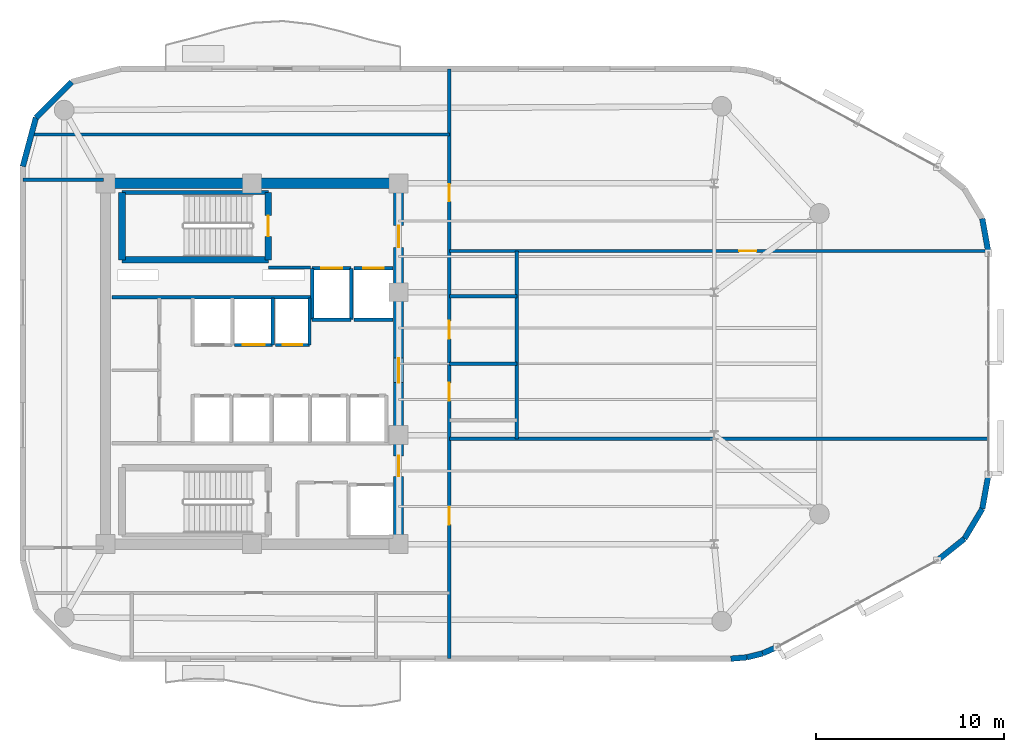
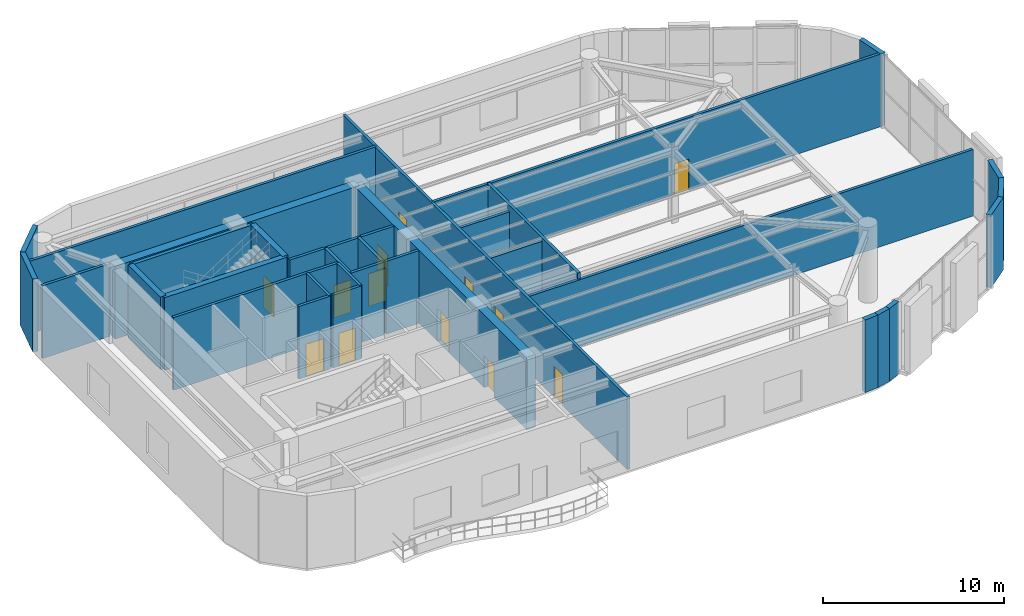
# One storey, part 8 of 11: 35 walls, 13 doors, 13 openings.
"""IFC4 building model written with IfcOpenShell, lengths in metres."""

from ifc_helpers import new_model, si_unit, direction, frame, frame_2d, origin, place, context, subcontext, project, spatial, rectangle, extrude, material, layer, layer_set, type_object, element, fill, save


model = new_model("IFC4")

# Units and contexts
model_context = context("Model", 3, precision=1e-05, world=origin(), true_north=direction((0.0, 1.0)))
body_context = subcontext(model_context, "Body", "Model", "MODEL_VIEW")
ifc_project = project(units=[si_unit("LENGTHUNIT", "METRE"), si_unit("AREAUNIT", "SQUARE_METRE"), si_unit("VOLUMEUNIT", "CUBIC_METRE"), si_unit("PLANEANGLEUNIT", "RADIAN"), si_unit("MASSUNIT", "GRAM", prefix="KILO")], contexts=[model_context])

# Site, building, storey
site_placement = place(None, origin())
site = spatial("IfcSite", under=ifc_project, at=site_placement, CompositionType="ELEMENT")
building_placement = place(site_placement, origin())
building = spatial("IfcBuilding", under=site, at=building_placement, Name="An Khanh Terracotta Commons", CompositionType="ELEMENT")
storey_placement = place(building_placement, frame((0.0, 0.0, 196.199951171875)))
storey = spatial("IfcBuildingStorey", under=building, at=storey_placement, Name="L51", CompositionType="ELEMENT", Elevation=196.199951171875)

# Wall
ifc_material_1 = material(Name="Concrete C50/60", Category="concrete")
ifc_layer_1 = layer(ifc_material_1, 0.550048828125, Name="Concrete C50/60")
ifc_layer_set_1 = layer_set([ifc_layer_1], Name="Concrete C50/60")
wall_type_1 = type_object("IfcWallType", Name="WALL-CORE-550", PredefinedType="SHEAR", material=ifc_layer_set_1)
wall_1_placement = place(storey_placement, frame((21.60009765625, 33.60009765625, 0.0), z_axis=(0.0, 0.0, 1.0), x_axis=(1.0, 0.0, 0.0)))
element("IfcWall", 1, at=wall_1_placement, inside=storey, type_object=wall_type_1, Name="L51 Core Wall CWALL-L51-N", PredefinedType="SHEAR", context=body_context, shape_type="SweptSolid", body=[
    extrude(rectangle(XDim=15.599853515625, YDim=0.550048828125, at=frame_2d((7.7998046875, 0.0))), origin(), (0.0, 0.0, 1.0), 4.900146484375),
])

# Wall, openings, doors
wall_2_placement = place(storey_placement, frame((37.199951171875, 14.39990234375, 0.0), z_axis=(0.0, 0.0, 1.0), x_axis=(0.0, 1.0, 0.0)))
wall_2 = element("IfcWall", 2, at=wall_2_placement, inside=storey, type_object=wall_type_1, Name="L51 Core Wall CWALL-L51-E", PredefinedType="SHEAR", context=body_context, shape_type="SweptSolid", body=[
    extrude(rectangle(XDim=19.2001953125, YDim=0.550048828125, at=frame_2d((9.60009765625, 0.0))), origin(), (0.0, 0.0, 1.0), 4.900146484375),
])
opening_1_placement = place(wall_2_placement, frame((15.800048828125, 0.0, 0.0)))
opening_1 = element("IfcOpeningElement", 3, at=opening_1_placement, cuts=wall_2, Name="Opening D-FFL", PredefinedType="OPENING", context=body_context, shape_type="SweptSolid", body=[
    extrude(rectangle(XDim=1.14990234375, YDim=2.14990234375, at=frame_2d((0.574951171875, 1.074951171875))), frame((0.0, 0.284912109375, 0.0), z_axis=(0.0, -1.0, 0.0), x_axis=(1.0, 0.0, 0.0)), (0.0, 0.0, 1.0), 0.570068359375),
])
opening_2_placement = place(wall_2_placement, frame((3.60009765625, 0.0, 0.0)))
opening_2 = element("IfcOpeningElement", 4, at=opening_2_placement, cuts=wall_2, Name="Opening D-ST", PredefinedType="OPENING", context=body_context, shape_type="SweptSolid", body=[
    extrude(rectangle(XDim=1.10009765625, YDim=2.14990234375, at=frame_2d((0.550048828125, 1.074951171875))), frame((0.0, 0.284912109375, 0.0), z_axis=(0.0, -1.0, 0.0), x_axis=(1.0, 0.0, 0.0)), (0.0, 0.0, 1.0), 0.570068359375),
])
opening_3_placement = place(wall_2_placement, frame((8.60009765625, 0.0, 0.0)))
opening_3 = element("IfcOpeningElement", 5, at=opening_3_placement, cuts=wall_2, Name="Opening D-COR", PredefinedType="OPENING", context=body_context, shape_type="SweptSolid", body=[
    extrude(rectangle(XDim=1.300048828125, YDim=2.199951171875, at=frame_2d((0.64990234375, 1.10009765625))), frame((0.0, 0.284912109375, 0.0), z_axis=(0.0, -1.0, 0.0), x_axis=(1.0, 0.0, 0.0)), (0.0, 0.0, 1.0), 0.570068359375),
])
ifc_material_2 = material(Name="Fire-Rated Glazed Steel Double Door", Category="steel")
door_type_1 = type_object("IfcDoorType", Name="DOOR-CORR-1300", OperationType="NOTDEFINED", PredefinedType="DOOR", material=ifc_material_2)
door_1_placement = place(opening_3_placement, origin())
door_1 = element("IfcDoor", 6, at=door_1_placement, inside=storey, type_object=door_type_1, Name="L51 Passenger Lift Lobby Double Door", OperationType="DOUBLE_DOOR_SINGLE_SWING", OverallHeight=2.199951171875, OverallWidth=1.300048828125, PredefinedType="DOOR", context=body_context, shape_type="SweptSolid", body=[
    extrude(rectangle(XDim=1.300048828125, YDim=2.199951171875, at=frame_2d((0.64990234375, 1.10009765625))), frame((0.0, 0.02490234375, 0.0), z_axis=(0.0, -1.0, 0.0), x_axis=(1.0, 0.0, 0.0)), (0.0, 0.0, 1.0), 0.050048828125),
])
fill(opening_3, door_1)
ifc_material_3 = material(Name="Fire-Rated Steel Leaf and Vision Panel", Category="steel")
door_type_2 = type_object("IfcDoorType", Name="DOOR-FFL-1150", OperationType="NOTDEFINED", PredefinedType="DOOR", material=ifc_material_3)
door_2_placement = place(opening_1_placement, origin())
door_2 = element("IfcDoor", 7, at=door_2_placement, inside=storey, type_object=door_type_2, Name="L51 Firefighting Lift Lobby Fire Door", OperationType="SINGLE_SWING_RIGHT", OverallHeight=2.14990234375, OverallWidth=1.14990234375, PredefinedType="DOOR", context=body_context, shape_type="SweptSolid", body=[
    extrude(rectangle(XDim=1.14990234375, YDim=2.14990234375, at=frame_2d((0.574951171875, 1.074951171875))), frame((0.0, 0.02490234375, 0.0), z_axis=(0.0, -1.0, 0.0), x_axis=(1.0, 0.0, 0.0)), (0.0, 0.0, 1.0), 0.050048828125),
])
fill(opening_1, door_2)
ifc_material_4 = material(Name="Fire-Rated Steel Leaf and Frame", Category="steel")
door_type_3 = type_object("IfcDoorType", Name="DOOR-STAIR-1100", OperationType="NOTDEFINED", PredefinedType="DOOR", material=ifc_material_4)
door_3_placement = place(opening_2_placement, origin())
door_3 = element("IfcDoor", 8, at=door_3_placement, inside=storey, type_object=door_type_3, Name="L51 South Stair Lobby Fire Door", OperationType="SINGLE_SWING_LEFT", OverallHeight=2.14990234375, OverallWidth=1.10009765625, PredefinedType="DOOR", context=body_context, shape_type="SweptSolid", body=[
    extrude(rectangle(XDim=1.10009765625, YDim=2.14990234375, at=frame_2d((0.550048828125, 1.074951171875))), frame((0.0, 0.02490234375, 0.0), z_axis=(0.0, -1.0, 0.0), x_axis=(1.0, 0.0, 0.0)), (0.0, 0.0, 1.0), 0.050048828125),
])
fill(opening_2, door_3)

# Walls
ifc_material_5 = material(Name="Fire-Rated Gypsum Board on Steel Stud", Category="steel")
ifc_layer_2 = layer(ifc_material_5, 0.179931640625, Name="Fire-Rated Gypsum Board on Steel Stud")
ifc_layer_set_2 = layer_set([ifc_layer_2], Name="Fire-Rated Gypsum Board on Steel Stud")
wall_type_2 = type_object("IfcWallType", Name="WALL-CORR-180", PredefinedType="PARTITIONING", material=ifc_layer_set_2)
wall_3_placement = place(storey_placement, frame((30.27001953125, 29.1201171875, 0.0), z_axis=(0.0, 0.0, 1.0), x_axis=(1.0, 0.0, 0.0)))
element("IfcWall", 9, at=wall_3_placement, inside=storey, type_object=wall_type_2, Name="L51 Core Wall FFLW-L51-S", PredefinedType="PARTITIONING", context=body_context, shape_type="SweptSolid", body=[
    extrude(rectangle(XDim=2.239990234375, YDim=0.179931640625, at=frame_2d((1.1201171875, 0.0))), origin(), (0.0, 0.0, 1.0), 4.900146484375),
])
wall_4_placement = place(storey_placement, frame((21.949951171875, 27.5400390625, 0.0), z_axis=(0.0, 0.0, 1.0), x_axis=(1.0, 0.0, 0.0)))
element("IfcWall", 10, at=wall_4_placement, inside=storey, type_object=wall_type_2, Name="L51 Core Wall RSRW-L51-S", PredefinedType="PARTITIONING", context=body_context, shape_type="SweptSolid", body=[
    extrude(rectangle(XDim=10.56005859375, YDim=0.179931640625, at=frame_2d((5.280029296875, 0.0))), origin(), (0.0, 0.0, 1.0), 4.900146484375),
])

# Wall, opening, door
wall_5_placement = place(storey_placement, frame((32.60009765625, 29.080078125, 0.0), z_axis=(0.0, 0.0, 1.0), x_axis=(1.0, 0.0, 0.0)))
wall_5 = element("IfcWall", 11, at=wall_5_placement, inside=storey, type_object=wall_type_2, Name="L51 Core Wall LSH-L51-FFL-01-N", PredefinedType="PARTITIONING", context=body_context, shape_type="SweptSolid", body=[
    extrude(rectangle(XDim=2.079833984375, YDim=0.179931640625, at=frame_2d((1.0400390625, 0.0))), origin(), (0.0, 0.0, 1.0), 4.900146484375),
])
opening_4_placement = place(wall_5_placement, frame((0.489990234375, 0.0, 0.0)))
opening_4 = element("IfcOpeningElement", 12, at=opening_4_placement, cuts=wall_5, Name="Opening LD-FFL-01-L51", PredefinedType="OPENING", context=body_context, shape_type="SweptSolid", body=[
    extrude(rectangle(XDim=1.10009765625, YDim=2.199951171875, at=frame_2d((0.550048828125, 1.10009765625))), frame((0.0, 0.099853515625, 0.0), z_axis=(0.0, -1.0, 0.0), x_axis=(1.0, 0.0, 0.0)), (0.0, 0.0, 1.0), 0.199951171875),
])
ifc_material_6 = material(Name="Brushed Stainless Steel Fire Landing Door", Category="steel")
door_type_4 = type_object("IfcDoorType", Name="DOOR-LD-FFL-1100", OperationType="NOTDEFINED", PredefinedType="DOOR", material=ifc_material_6)
door_4_placement = place(opening_4_placement, origin())
door_4 = element("IfcDoor", 13, at=door_4_placement, inside=storey, type_object=door_type_4, Name="L51 Lift FFL-01 Sliding Landing Door", OperationType="DOUBLE_DOOR_SLIDING", OverallHeight=2.199951171875, OverallWidth=1.10009765625, PredefinedType="DOOR", context=body_context, shape_type="SweptSolid", body=[
    extrude(rectangle(XDim=1.10009765625, YDim=2.199951171875, at=frame_2d((0.550048828125, 1.10009765625))), frame((0.0, 0.02490234375, 0.0), z_axis=(0.0, -1.0, 0.0), x_axis=(1.0, 0.0, 0.0)), (0.0, 0.0, 1.0), 0.050048828125),
])
fill(opening_4, door_4)

# Walls
wall_6_placement = place(storey_placement, frame((34.679931640625, 26.35009765625, 0.0), z_axis=(0.0, 0.0, 1.0), x_axis=(-1.0, 0.0, 0.0)))
element("IfcWall", 14, at=wall_6_placement, inside=storey, type_object=wall_type_2, Name="L51 Core Wall LSH-L51-FFL-01-S", PredefinedType="PARTITIONING", context=body_context, shape_type="SweptSolid", body=[
    extrude(rectangle(XDim=2.079833984375, YDim=0.179931640625, at=frame_2d((1.0400390625, 0.0))), origin(), (0.0, 0.0, 1.0), 4.900146484375),
])
for number, where, z_axis, x_axis, name in (
    (15, (34.679931640625, 26.35009765625, 0.0), (0.0, 0.0, 1.0), (0.0, 1.0, 0.0), "L51 Core Wall LSH-L51-FFL-01-E"),
    (16, (32.60009765625, 29.080078125, 0.0), (0.0, 0.0, 1.0), (0.0, -1.0, 0.0), "L51 Core Wall LSH-L51-FFL-01-W"),
):
    element("IfcWall", number, at=place(storey_placement, frame(where, z_axis=z_axis, x_axis=x_axis)), inside=storey, type_object=wall_type_2, Name=name, PredefinedType="PARTITIONING", context=body_context, shape_type="SweptSolid", body=[
        extrude(rectangle(XDim=2.72998046875, YDim=0.179931640625, at=frame_2d((1.364990234375, 0.0))), origin(), (0.0, 0.0, 1.0), 4.900146484375),
    ])

# Wall, opening, door
wall_7_placement = place(storey_placement, frame((34.820068359375, 29.080078125, 0.0), z_axis=(0.0, 0.0, 1.0), x_axis=(1.0, 0.0, 0.0)))
wall_7 = element("IfcWall", 17, at=wall_7_placement, inside=storey, type_object=wall_type_2, Name="L51 Core Wall LSH-L51-FFL-02-N", PredefinedType="PARTITIONING", context=body_context, shape_type="SweptSolid", body=[
    extrude(rectangle(XDim=2.079833984375, YDim=0.179931640625, at=frame_2d((1.0400390625, 0.0))), origin(), (0.0, 0.0, 1.0), 4.900146484375),
])
opening_5_placement = place(wall_7_placement, frame((0.489990234375, 0.0, 0.0)))
opening_5 = element("IfcOpeningElement", 18, at=opening_5_placement, cuts=wall_7, Name="Opening LD-FFL-02-L51", PredefinedType="OPENING", context=body_context, shape_type="SweptSolid", body=[
    extrude(rectangle(XDim=1.10009765625, YDim=2.199951171875, at=frame_2d((0.550048828125, 1.10009765625))), frame((0.0, 0.099853515625, 0.0), z_axis=(0.0, -1.0, 0.0), x_axis=(1.0, 0.0, 0.0)), (0.0, 0.0, 1.0), 0.199951171875),
])
door_5_placement = place(opening_5_placement, origin())
door_5 = element("IfcDoor", 19, at=door_5_placement, inside=storey, type_object=door_type_4, Name="L51 Lift FFL-02 Sliding Landing Door", OperationType="DOUBLE_DOOR_SLIDING", OverallHeight=2.199951171875, OverallWidth=1.10009765625, PredefinedType="DOOR", context=body_context, shape_type="SweptSolid", body=[
    extrude(rectangle(XDim=1.10009765625, YDim=2.199951171875, at=frame_2d((0.550048828125, 1.10009765625))), frame((0.0, 0.02490234375, 0.0), z_axis=(0.0, -1.0, 0.0), x_axis=(1.0, 0.0, 0.0)), (0.0, 0.0, 1.0), 0.050048828125),
])
fill(opening_5, door_5)

# Wall
wall_8_placement = place(storey_placement, frame((36.89990234375, 26.35009765625, 0.0), z_axis=(0.0, 0.0, 1.0), x_axis=(-1.0, 0.0, 0.0)))
element("IfcWall", 20, at=wall_8_placement, inside=storey, type_object=wall_type_2, Name="L51 Core Wall LSH-L51-FFL-02-S", PredefinedType="PARTITIONING", context=body_context, shape_type="SweptSolid", body=[
    extrude(rectangle(XDim=2.079833984375, YDim=0.179931640625, at=frame_2d((1.0400390625, 0.0))), origin(), (0.0, 0.0, 1.0), 4.900146484375),
])

# Wall, opening, door
wall_9_placement = place(storey_placement, frame((30.5, 25.0, 0.0), z_axis=(0.0, 0.0, 1.0), x_axis=(-1.0, 0.0, 0.0)))
wall_9 = element("IfcWall", 21, at=wall_9_placement, inside=storey, type_object=wall_type_2, Name="L51 Core Wall LSH-L51-PL-M2-S", PredefinedType="PARTITIONING", context=body_context, shape_type="SweptSolid", body=[
    extrude(rectangle(XDim=2.02001953125, YDim=0.179931640625, at=frame_2d((1.010009765625, 0.0))), origin(), (0.0, 0.0, 1.0), 4.900146484375),
])
opening_6_placement = place(wall_9_placement, frame((0.43505859375, 0.0, 0.0)))
opening_6 = element("IfcOpeningElement", 22, at=opening_6_placement, cuts=wall_9, Name="Opening LD-PL-M2-L51", PredefinedType="OPENING", context=body_context, shape_type="SweptSolid", body=[
    extrude(rectangle(XDim=1.14990234375, YDim=2.199951171875, at=frame_2d((0.574951171875, 1.10009765625))), frame((0.0, 0.099853515625, 0.0), z_axis=(0.0, -1.0, 0.0), x_axis=(1.0, 0.0, 0.0)), (0.0, 0.0, 1.0), 0.199951171875),
])
ifc_material_7 = material(Name="Brushed Stainless Steel Passenger Landing Door", Category="steel")
door_type_5 = type_object("IfcDoorType", Name="DOOR-LD-PAX-1150", OperationType="NOTDEFINED", PredefinedType="DOOR", material=ifc_material_7)
door_6_placement = place(opening_6_placement, origin())
door_6 = element("IfcDoor", 23, at=door_6_placement, inside=storey, type_object=door_type_5, Name="L51 Lift PL-M2 Sliding Landing Door", OperationType="DOUBLE_DOOR_SLIDING", OverallHeight=2.199951171875, OverallWidth=1.14990234375, PredefinedType="DOOR", context=body_context, shape_type="SweptSolid", body=[
    extrude(rectangle(XDim=1.14990234375, YDim=2.199951171875, at=frame_2d((0.574951171875, 1.10009765625))), frame((0.0, 0.02490234375, 0.0), z_axis=(0.0, -1.0, 0.0), x_axis=(1.0, 0.0, 0.0)), (0.0, 0.0, 1.0), 0.050048828125),
])
fill(opening_6, door_6)

# Wall
wall_10_placement = place(storey_placement, frame((30.5, 25.0, 0.0), z_axis=(0.0, 0.0, 1.0), x_axis=(0.0, 1.0, 0.0)))
element("IfcWall", 24, at=wall_10_placement, inside=storey, type_object=wall_type_2, Name="L51 Core Wall LSH-L51-PL-M2-E", PredefinedType="PARTITIONING", context=body_context, shape_type="SweptSolid", body=[
    extrude(rectangle(XDim=2.5, YDim=0.179931640625, at=frame_2d((1.25, 0.0))), origin(), (0.0, 0.0, 1.0), 4.900146484375),
])

# Wall, opening, door
wall_11_placement = place(storey_placement, frame((32.4599609375, 25.0, 0.0), z_axis=(0.0, 0.0, 1.0), x_axis=(-1.0, 0.0, 0.0)))
wall_11 = element("IfcWall", 25, at=wall_11_placement, inside=storey, type_object=wall_type_2, Name="L51 Core Wall LSH-L51-PL-H1-S", PredefinedType="PARTITIONING", context=body_context, shape_type="SweptSolid", body=[
    extrude(rectangle(XDim=1.820068359375, YDim=0.179931640625, at=frame_2d((0.91015625, 0.0))), origin(), (0.0, 0.0, 1.0), 4.900146484375),
])
opening_7_placement = place(wall_11_placement, frame((0.385009765625, 0.0, 0.0)))
opening_7 = element("IfcOpeningElement", 26, at=opening_7_placement, cuts=wall_11, Name="Opening LD-PL-H1-L51", PredefinedType="OPENING", context=body_context, shape_type="SweptSolid", body=[
    extrude(rectangle(XDim=1.050048828125, YDim=2.199951171875, at=frame_2d((0.52490234375, 1.10009765625))), frame((0.0, 0.099853515625, 0.0), z_axis=(0.0, -1.0, 0.0), x_axis=(1.0, 0.0, 0.0)), (0.0, 0.0, 1.0), 0.199951171875),
])
ifc_material_8 = material(Name="Brushed Stainless Steel High-Rise Landing Door", Category="steel")
door_type_6 = type_object("IfcDoorType", Name="DOOR-LD-PAXH-1050", OperationType="NOTDEFINED", PredefinedType="DOOR", material=ifc_material_8)
door_7_placement = place(opening_7_placement, origin())
door_7 = element("IfcDoor", 27, at=door_7_placement, inside=storey, type_object=door_type_6, Name="L51 Lift PL-H1 Sliding Landing Door", OperationType="DOUBLE_DOOR_SLIDING", OverallHeight=2.199951171875, OverallWidth=1.050048828125, PredefinedType="DOOR", context=body_context, shape_type="SweptSolid", body=[
    extrude(rectangle(XDim=1.050048828125, YDim=2.199951171875, at=frame_2d((0.52490234375, 1.10009765625))), frame((0.0, 0.02490234375, 0.0), z_axis=(0.0, -1.0, 0.0), x_axis=(1.0, 0.0, 0.0)), (0.0, 0.0, 1.0), 0.050048828125),
])
fill(opening_7, door_7)

# Walls
wall_12_placement = place(storey_placement, frame((32.4599609375, 25.0, 0.0), z_axis=(0.0, 0.0, 1.0), x_axis=(0.0, 1.0, 0.0)))
element("IfcWall", 28, at=wall_12_placement, inside=storey, type_object=wall_type_2, Name="L51 Core Wall LSH-L51-PL-H1-E", PredefinedType="PARTITIONING", context=body_context, shape_type="SweptSolid", body=[
    extrude(rectangle(XDim=2.5, YDim=0.179931640625, at=frame_2d((1.25, 0.0))), origin(), (0.0, 0.0, 1.0), 4.900146484375),
])
wall_13_placement = place(storey_placement, frame((39.89990234375, 20.0, 0.0), z_axis=(0.0, 0.0, 1.0), x_axis=(1.0, 0.0, 0.0)))
element("IfcWall", 29, at=wall_13_placement, inside=storey, type_object=wall_type_2, Name="L51 Interior Partition IW-L51-E003", PredefinedType="PARTITIONING", context=body_context, shape_type="SweptSolid", body=[
    extrude(rectangle(XDim=28.7001953125, YDim=0.179931640625, at=frame_2d((14.35009765625, 0.0))), origin(), (0.0, 0.0, 1.0), 4.48193359375),
])
wall_14_placement = place(storey_placement, frame((39.89990234375, 24.0, 0.0), z_axis=(0.0, 0.0, 1.0), x_axis=(1.0, 0.0, 0.0)))
element("IfcWall", 30, at=wall_14_placement, inside=storey, type_object=wall_type_2, Name="L51 Interior Partition IW-L51-E005", PredefinedType="PARTITIONING", context=body_context, shape_type="SweptSolid", body=[
    extrude(rectangle(XDim=3.60009765625, YDim=0.179931640625, at=frame_2d((1.800048828125, 0.0))), origin(), (0.0, 0.0, 1.0), 4.68212890625),
])
wall_15_placement = place(storey_placement, frame((39.89990234375, 27.60009765625, 0.0), z_axis=(0.0, 0.0, 1.0), x_axis=(1.0, 0.0, 0.0)))
element("IfcWall", 31, at=wall_15_placement, inside=storey, type_object=wall_type_2, Name="L51 Interior Partition IW-L51-E006", PredefinedType="PARTITIONING", context=body_context, shape_type="SweptSolid", body=[
    extrude(rectangle(XDim=3.60009765625, YDim=0.179931640625, at=frame_2d((1.800048828125, 0.0))), origin(), (0.0, 0.0, 1.0), 4.48193359375),
])

# Wall, opening, door
wall_16_placement = place(storey_placement, frame((39.89990234375, 30.0, 0.0), z_axis=(0.0, 0.0, 1.0), x_axis=(1.0, 0.0, 0.0)))
wall_16 = element("IfcWall", 32, at=wall_16_placement, inside=storey, type_object=wall_type_2, Name="L51 Interior Partition IW-L51-E007", PredefinedType="PARTITIONING", context=body_context, shape_type="SweptSolid", body=[
    extrude(rectangle(XDim=28.68212890625, YDim=0.179931640625, at=frame_2d((14.341064453125, 0.0))), origin(), (0.0, 0.0, 1.0), 4.900146484375),
])
opening_8_placement = place(wall_16_placement, frame((15.4208984375, 0.0, 0.0)))
opening_8 = element("IfcOpeningElement", 33, at=opening_8_placement, cuts=wall_16, Name="Opening D-RM", PredefinedType="OPENING", context=body_context, shape_type="SweptSolid", body=[
    extrude(rectangle(XDim=0.919921875, YDim=2.10009765625, at=frame_2d((0.4599609375, 1.050048828125))), frame((0.0, 0.099853515625, 0.0), z_axis=(0.0, -1.0, 0.0), x_axis=(1.0, 0.0, 0.0)), (0.0, 0.0, 1.0), 0.199951171875),
])
ifc_material_9 = material(Name="Engineered Hardwood Timber Leaf", Category="wood")
door_type_7 = type_object("IfcDoorType", Name="DOOR-INT-920", OperationType="NOTDEFINED", PredefinedType="DOOR", material=ifc_material_9)
door_8_placement = place(opening_8_placement, origin())
door_8 = element("IfcDoor", 34, at=door_8_placement, inside=storey, type_object=door_type_7, Name="L51 SKIT High-Zone Transfer Social Kitchen Door", OperationType="SINGLE_SWING_LEFT", OverallHeight=2.10009765625, OverallWidth=0.919921875, PredefinedType="DOOR", context=body_context, shape_type="SweptSolid", body=[
    extrude(rectangle(XDim=0.919921875, YDim=2.10009765625, at=frame_2d((0.4599609375, 1.050048828125))), frame((0.0, 0.02490234375, 0.0), z_axis=(0.0, -1.0, 0.0), x_axis=(1.0, 0.0, 0.0)), (0.0, 0.0, 1.0), 0.050048828125),
])
fill(opening_8, door_8)

# Walls
wall_17_placement = place(storey_placement, frame((17.199951171875, 33.800048828125, 0.0), z_axis=(0.0, 0.0, 1.0), x_axis=(1.0, 0.0, 0.0)))
element("IfcWall", 35, at=wall_17_placement, inside=storey, type_object=wall_type_2, Name="L51 Interior Partition IW-L51-E008", PredefinedType="PARTITIONING", context=body_context, shape_type="SweptSolid", body=[
    extrude(rectangle(XDim=4.300048828125, YDim=0.179931640625, at=frame_2d((2.14990234375, 0.0))), origin(), (0.0, 0.0, 1.0), 4.900146484375),
])
wall_18_placement = place(storey_placement, frame((17.656005859375, 36.199951171875, 0.0), z_axis=(0.0, 0.0, 1.0), x_axis=(1.0, 0.0, 0.0)))
element("IfcWall", 36, at=wall_18_placement, inside=storey, type_object=wall_type_2, Name="L51 Interior Partition IW-L51-E009", PredefinedType="PARTITIONING", context=body_context, shape_type="SweptSolid", body=[
    extrude(rectangle(XDim=22.243896484375, YDim=0.179931640625, at=frame_2d((11.1220703125, 0.0))), origin(), (0.0, 0.0, 1.0), 4.900146484375),
])

# Wall, openings, doors
wall_19_placement = place(storey_placement, frame((39.89990234375, 8.300048828125, 0.0), z_axis=(0.0, 0.0, 1.0), x_axis=(0.0, 1.0, 0.0)))
wall_19 = element("IfcWall", 37, at=wall_19_placement, inside=storey, type_object=wall_type_2, Name="L51 Interior Partition IW-L51-E012", PredefinedType="PARTITIONING", context=body_context, shape_type="SweptSolid", body=[
    extrude(rectangle(XDim=31.39990234375, YDim=0.179931640625, at=frame_2d((15.699951171875, 0.0))), origin(), (0.0, 0.0, 1.0), 4.900146484375),
])
opening_9_placement = place(wall_19_placement, frame((13.72509765625, 0.0, 0.0)))
opening_9 = element("IfcOpeningElement", 38, at=opening_9_placement, cuts=wall_19, Name="Opening D-LWC", PredefinedType="OPENING", context=body_context, shape_type="SweptSolid", body=[
    extrude(rectangle(XDim=0.949951171875, YDim=2.14990234375, at=frame_2d((0.47509765625, 1.074951171875))), frame((0.0, 0.099853515625, 0.0), z_axis=(0.0, -1.0, 0.0), x_axis=(1.0, 0.0, 0.0)), (0.0, 0.0, 1.0), 0.199951171875),
])
opening_10_placement = place(wall_19_placement, frame((17.02490234375, 0.0, 0.0)))
opening_10 = element("IfcOpeningElement", 39, at=opening_10_placement, cuts=wall_19, Name="Opening D-LWC", PredefinedType="OPENING", context=body_context, shape_type="SweptSolid", body=[
    extrude(rectangle(XDim=0.949951171875, YDim=2.14990234375, at=frame_2d((0.47509765625, 1.074951171875))), frame((0.0, 0.099853515625, 0.0), z_axis=(0.0, -1.0, 0.0), x_axis=(1.0, 0.0, 0.0)), (0.0, 0.0, 1.0), 0.199951171875),
])
opening_11_placement = place(wall_19_placement, frame((24.340087890625, 0.0, 0.0)))
opening_11 = element("IfcOpeningElement", 40, at=opening_11_placement, cuts=wall_19, Name="Opening D-RM", PredefinedType="OPENING", context=body_context, shape_type="SweptSolid", body=[
    extrude(rectangle(XDim=0.919921875, YDim=2.10009765625, at=frame_2d((0.4599609375, 1.050048828125))), frame((0.0, 0.099853515625, 0.0), z_axis=(0.0, -1.0, 0.0), x_axis=(1.0, 0.0, 0.0)), (0.0, 0.0, 1.0), 0.199951171875),
])
opening_12_placement = place(wall_19_placement, frame((7.139892578125, 0.0, 0.0)))
opening_12 = element("IfcOpeningElement", 41, at=opening_12_placement, cuts=wall_19, Name="Opening D-RM", PredefinedType="OPENING", context=body_context, shape_type="SweptSolid", body=[
    extrude(rectangle(XDim=0.919921875, YDim=2.10009765625, at=frame_2d((0.4599609375, 1.050048828125))), frame((0.0, 0.099853515625, 0.0), z_axis=(0.0, -1.0, 0.0), x_axis=(1.0, 0.0, 0.0)), (0.0, 0.0, 1.0), 0.199951171875),
])
door_9_placement = place(opening_11_placement, origin())
door_9 = element("IfcDoor", 42, at=door_9_placement, inside=storey, type_object=door_type_7, Name="L51 SLNG Saigon River Observatory Lounge Door", OperationType="SINGLE_SWING_RIGHT", OverallHeight=2.10009765625, OverallWidth=0.919921875, PredefinedType="DOOR", context=body_context, shape_type="SweptSolid", body=[
    extrude(rectangle(XDim=0.919921875, YDim=2.10009765625, at=frame_2d((0.4599609375, 1.050048828125))), frame((0.0, 0.02490234375, 0.0), z_axis=(0.0, -1.0, 0.0), x_axis=(1.0, 0.0, 0.0)), (0.0, 0.0, 1.0), 0.050048828125),
])
fill(opening_11, door_9)
door_10_placement = place(opening_12_placement, origin())
door_10 = element("IfcDoor", 43, at=door_10_placement, inside=storey, type_object=door_type_7, Name="L51 SSEM Fellowship Boardroom Door", OperationType="SINGLE_SWING_LEFT", OverallHeight=2.10009765625, OverallWidth=0.919921875, PredefinedType="DOOR", context=body_context, shape_type="SweptSolid", body=[
    extrude(rectangle(XDim=0.919921875, YDim=2.10009765625, at=frame_2d((0.4599609375, 1.050048828125))), frame((0.0, 0.02490234375, 0.0), z_axis=(0.0, -1.0, 0.0), x_axis=(1.0, 0.0, 0.0)), (0.0, 0.0, 1.0), 0.050048828125),
])
fill(opening_12, door_10)
ifc_material_10 = material(Name="Fire-Rated Moisture-Resistant Laminate Timber Leaf", Category="wood")
door_type_8 = type_object("IfcDoorType", Name="DOOR-LOBWC-950", OperationType="NOTDEFINED", PredefinedType="DOOR", material=ifc_material_10)
door_11_placement = place(opening_9_placement, origin())
door_11 = element("IfcDoor", 44, at=door_11_placement, inside=storey, type_object=door_type_8, Name="L51 AWC Sky Lobby Accessible WC Door", OperationType="SINGLE_SWING_LEFT", OverallHeight=2.14990234375, OverallWidth=0.949951171875, PredefinedType="DOOR", context=body_context, shape_type="SweptSolid", body=[
    extrude(rectangle(XDim=0.949951171875, YDim=2.14990234375, at=frame_2d((0.47509765625, 1.074951171875))), frame((0.0, 0.02490234375, 0.0), z_axis=(0.0, -1.0, 0.0), x_axis=(1.0, 0.0, 0.0)), (0.0, 0.0, 1.0), 0.050048828125),
])
fill(opening_9, door_11)
door_12_placement = place(opening_10_placement, origin())
door_12 = element("IfcDoor", 45, at=door_12_placement, inside=storey, type_object=door_type_8, Name="L51 WCB Sky Lobby Public Restrooms Door", OperationType="SINGLE_SWING_RIGHT", OverallHeight=2.14990234375, OverallWidth=0.949951171875, PredefinedType="DOOR", context=body_context, shape_type="SweptSolid", body=[
    extrude(rectangle(XDim=0.949951171875, YDim=2.14990234375, at=frame_2d((0.47509765625, 1.074951171875))), frame((0.0, 0.02490234375, 0.0), z_axis=(0.0, -1.0, 0.0), x_axis=(1.0, 0.0, 0.0)), (0.0, 0.0, 1.0), 0.050048828125),
])
fill(opening_10, door_12)

# Walls
wall_20_placement = place(storey_placement, frame((43.5, 20.0, 0.0), z_axis=(0.0, 0.0, 1.0), x_axis=(0.0, 1.0, 0.0)))
element("IfcWall", 46, at=wall_20_placement, inside=storey, type_object=wall_type_2, Name="L51 Interior Partition IW-L51-E013", PredefinedType="PARTITIONING", context=body_context, shape_type="SweptSolid", body=[
    extrude(rectangle(XDim=10.0, YDim=0.179931640625, at=frame_2d((5.0, 0.0))), origin(), (0.0, 0.0, 1.0), 4.900146484375),
])
ifc_material_11 = material(Name="Precast concrete C40/50", Category="concrete")
ifc_layer_3 = layer(ifc_material_11, 0.300048828125, Name="Precast concrete C40/50")
ifc_layer_set_3 = layer_set([ifc_layer_3], Name="Precast concrete C40/50")
wall_type_3 = type_object("IfcWallType", Name="WALL-EXT-300", PredefinedType="SOLIDWALL", material=ifc_layer_set_3)
wall_21_placement = place(storey_placement, frame((54.885009765625, 8.300048828125, 0.0), z_axis=(0.0, 0.0, 1.0), x_axis=(0.996565355958, 0.082809971041, 0.0)))
element("IfcWall", 47, at=wall_21_placement, inside=storey, type_object=wall_type_3, Name="L51 Insulated Terracotta Exterior Wall 5", PredefinedType="SOLIDWALL", context=body_context, shape_type="SweptSolid", body=[
    extrude(rectangle(XDim=0.85791015625, YDim=0.300048828125, at=frame_2d((0.428955078125, 0.0))), origin(), (0.0, 0.0, 1.0), 4.900146484375),
])
wall_22_placement = place(storey_placement, frame((55.739990234375, 8.37109375, 0.0), z_axis=(0.0, 0.0, 1.0), x_axis=(0.969536346338, 0.244947490555, 0.0)))
element("IfcWall", 48, at=wall_22_placement, inside=storey, type_object=wall_type_3, Name="L51 Insulated Terracotta Exterior Wall 6", PredefinedType="SOLIDWALL", context=body_context, shape_type="SweptSolid", body=[
    extrude(rectangle(XDim=0.857177734375, YDim=0.300048828125, at=frame_2d((0.4287109375, 0.0))), origin(), (0.0, 0.0, 1.0), 4.900146484375),
])
wall_23_placement = place(storey_placement, frame((56.571044921875, 8.5810546875, 0.0), z_axis=(0.0, 0.0, 1.0), x_axis=(0.916085473636, 0.400983048261, 0.0)))
element("IfcWall", 49, at=wall_23_placement, inside=storey, type_object=wall_type_3, Name="L51 Insulated Terracotta Exterior Wall 7", PredefinedType="SOLIDWALL", context=body_context, shape_type="SweptSolid", body=[
    extrude(rectangle(XDim=0.85791015625, YDim=0.300048828125, at=frame_2d((0.428955078125, 0.0))), origin(), (0.0, 0.0, 1.0), 4.900146484375),
])
wall_24_placement = place(storey_placement, frame((65.8720703125, 13.52587890625, 0.0), z_axis=(0.0, 0.0, 1.0), x_axis=(0.780920189257, 0.624630817372, 0.0)))
element("IfcWall", 50, at=wall_24_placement, inside=storey, type_object=wall_type_3, Name="L51 Insulated Terracotta Exterior Wall 9", PredefinedType="SOLIDWALL", context=body_context, shape_type="SweptSolid", body=[
    extrude(rectangle(XDim=1.854248046875, YDim=0.300048828125, at=frame_2d((0.92724609375, 0.0))), origin(), (0.0, 0.0, 1.0), 4.900146484375),
])
wall_25_placement = place(storey_placement, frame((67.320068359375, 14.68408203125, 0.0), z_axis=(0.0, 0.0, 1.0), x_axis=(0.512072018927, 0.858942516955, 0.0)))
element("IfcWall", 51, at=wall_25_placement, inside=storey, type_object=wall_type_3, Name="L51 Insulated Terracotta Exterior Wall 10", PredefinedType="SOLIDWALL", context=body_context, shape_type="SweptSolid", body=[
    extrude(rectangle(XDim=1.853271484375, YDim=0.300048828125, at=frame_2d((0.9267578125, 0.0))), origin(), (0.0, 0.0, 1.0), 4.900146484375),
])
for number, where, z_axis, x_axis, name in (
    (52, (68.26904296875, 16.27587890625, 0.0), (0.0, 0.0, 1.0), (0.178468469252, 0.983945631365, 0.0), "L51 Insulated Terracotta Exterior Wall 11"),
    (53, (68.60009765625, 29.89892578125, 0.0), (0.0, 0.0, 1.0), (-0.178468469252, 0.983945631365, 0.0), "L51 Insulated Terracotta Exterior Wall 13"),
):
    element("IfcWall", number, at=place(storey_placement, frame(where, z_axis=z_axis, x_axis=x_axis)), inside=storey, type_object=wall_type_3, Name=name, PredefinedType="SOLIDWALL", context=body_context, shape_type="SweptSolid", body=[
        extrude(rectangle(XDim=1.85498046875, YDim=0.300048828125, at=frame_2d((0.927490234375, 0.0))), origin(), (0.0, 0.0, 1.0), 4.900146484375),
    ])
wall_26_placement = place(storey_placement, frame((19.800048828125, 39.0029296875, 0.0), z_axis=(0.0, 0.0, 1.0), x_axis=(-0.707152139074, -0.70706142039, 0.0)))
element("IfcWall", 54, at=wall_26_placement, inside=storey, type_object=wall_type_3, Name="L51 Insulated Terracotta Exterior Wall 22", PredefinedType="SOLIDWALL", context=body_context, shape_type="SweptSolid", body=[
    extrude(rectangle(XDim=2.691162109375, YDim=0.300048828125, at=frame_2d((1.345703125, 0.0))), origin(), (0.0, 0.0, 1.0), 4.900146484375),
])
wall_27_placement = place(storey_placement, frame((17.89697265625, 37.10009765625, 0.0), z_axis=(0.0, 0.0, 1.0), x_axis=(-0.258932525951, -0.965895412042, 0.0)))
element("IfcWall", 55, at=wall_27_placement, inside=storey, type_object=wall_type_3, Name="L51 Insulated Terracotta Exterior Wall 23", PredefinedType="SOLIDWALL", context=body_context, shape_type="SweptSolid", body=[
    extrude(rectangle(XDim=2.69189453125, YDim=0.300048828125, at=frame_2d((1.345947265625, 0.0))), origin(), (0.0, 0.0, 1.0), 4.900146484375),
])
ifc_material_12 = material(Name="Acoustic Double-Stud Gypsum and Mineral Wool")
ifc_layer_4 = layer(ifc_material_12, 0.219970703125, Name="Acoustic Double-Stud Gypsum and Mineral Wool")
ifc_layer_set_4 = layer_set([ifc_layer_4], Name="Acoustic Double-Stud Gypsum and Mineral Wool")
wall_type_4 = type_object("IfcWallType", Name="WALL-PARTY-220", PredefinedType="PARTITIONING", material=ifc_layer_set_4)
wall_28_placement = place(storey_placement, frame((22.47998046875, 33.110107421875, 0.0), z_axis=(0.0, 0.0, 1.0), x_axis=(1.0, 0.0, 0.0)))
element("IfcWall", 56, at=wall_28_placement, inside=storey, type_object=wall_type_4, Name="L51 Core Wall STW-L51-N-N", PredefinedType="PARTITIONING", context=body_context, shape_type="SweptSolid", body=[
    extrude(rectangle(XDim=7.7900390625, YDim=0.219970703125, at=frame_2d((3.89501953125, 0.0))), origin(), (0.0, 0.0, 1.0), 4.900146484375),
])
ifc_layer_5 = layer(ifc_material_1, 0.35009765625, Name="Concrete C50/60")
ifc_layer_set_5 = layer_set([ifc_layer_5], Name="Concrete C50/60")
wall_type_5 = type_object("IfcWallType", Name="WALL-SHAFT-350", PredefinedType="SOLIDWALL", material=ifc_layer_set_5)
wall_29_placement = place(storey_placement, frame((22.47998046875, 29.530029296875, 0.0), z_axis=(0.0, 0.0, 1.0), x_axis=(1.0, 0.0, 0.0)))
element("IfcWall", 57, at=wall_29_placement, inside=storey, type_object=wall_type_5, Name="L51 Core Wall STW-L51-N-S", PredefinedType="SOLIDWALL", context=body_context, shape_type="SweptSolid", body=[
    extrude(rectangle(XDim=7.7900390625, YDim=0.35009765625, at=frame_2d((3.89501953125, 0.0))), origin(), (0.0, 0.0, 1.0), 4.900146484375),
])
wall_30_placement = place(storey_placement, frame((22.47998046875, 29.530029296875, 0.0), z_axis=(0.0, 0.0, 1.0), x_axis=(0.0, 1.0, 0.0)))
element("IfcWall", 58, at=wall_30_placement, inside=storey, type_object=wall_type_5, Name="L51 Core Wall STW-L51-N-W", PredefinedType="SOLIDWALL", context=body_context, shape_type="SweptSolid", body=[
    extrude(rectangle(XDim=3.580078125, YDim=0.35009765625, at=frame_2d((1.7900390625, 0.0))), origin(), (0.0, 0.0, 1.0), 4.900146484375),
])

# Wall, opening, door
wall_31_placement = place(storey_placement, frame((30.27001953125, 29.530029296875, 0.0), z_axis=(0.0, 0.0, 1.0), x_axis=(0.0, 1.0, 0.0)))
wall_31 = element("IfcWall", 59, at=wall_31_placement, inside=storey, type_object=wall_type_5, Name="L51 Core Wall STW-L51-N-E", PredefinedType="SOLIDWALL", context=body_context, shape_type="SweptSolid", body=[
    extrude(rectangle(XDim=3.580078125, YDim=0.35009765625, at=frame_2d((1.7900390625, 0.0))), origin(), (0.0, 0.0, 1.0), 4.900146484375),
])
opening_13_placement = place(wall_31_placement, frame((1.25, 0.0, 0.0)))
opening_13 = element("IfcOpeningElement", 60, at=opening_13_placement, cuts=wall_31, Name="Opening D-ST", PredefinedType="OPENING", context=body_context, shape_type="SweptSolid", body=[
    extrude(rectangle(XDim=1.10009765625, YDim=2.14990234375, at=frame_2d((0.550048828125, 1.074951171875))), frame((0.0, 0.18505859375, 0.0), z_axis=(0.0, -1.0, 0.0), x_axis=(1.0, 0.0, 0.0)), (0.0, 0.0, 1.0), 0.3701171875),
])
door_13_placement = place(opening_13_placement, origin())
door_13 = element("IfcDoor", 61, at=door_13_placement, inside=storey, type_object=door_type_3, Name="L51 Stair ST-01 Fire Door", OperationType="SINGLE_SWING_RIGHT", OverallHeight=2.14990234375, OverallWidth=1.10009765625, PredefinedType="DOOR", context=body_context, shape_type="SweptSolid", body=[
    extrude(rectangle(XDim=1.10009765625, YDim=2.14990234375, at=frame_2d((0.550048828125, 1.074951171875))), frame((0.0, 0.02490234375, 0.0), z_axis=(0.0, -1.0, 0.0), x_axis=(1.0, 0.0, 0.0)), (0.0, 0.0, 1.0), 0.050048828125),
])
fill(opening_13, door_13)

save(model, "model.ifc")
